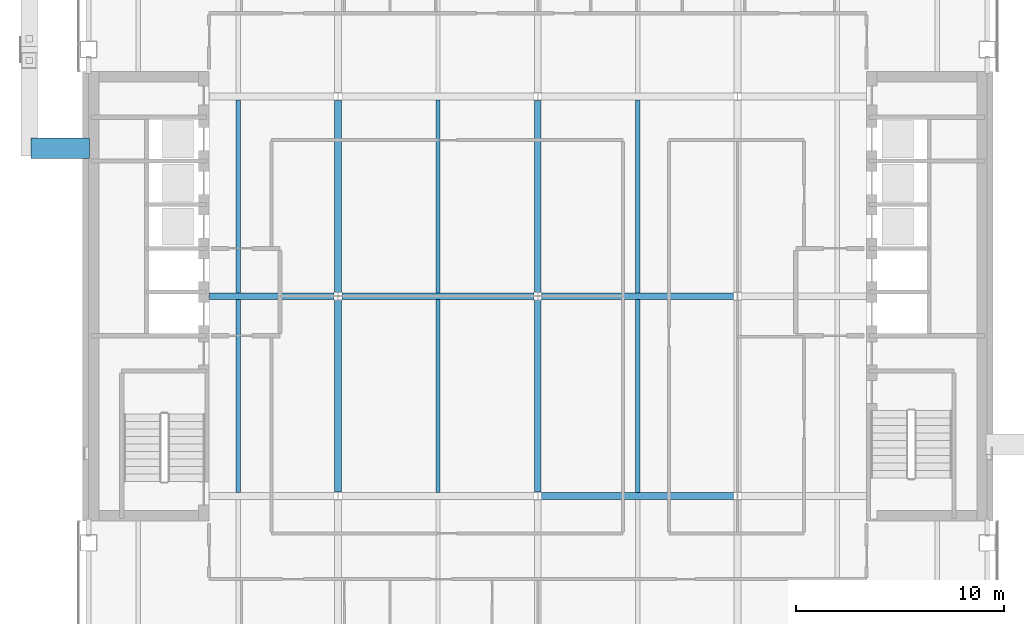
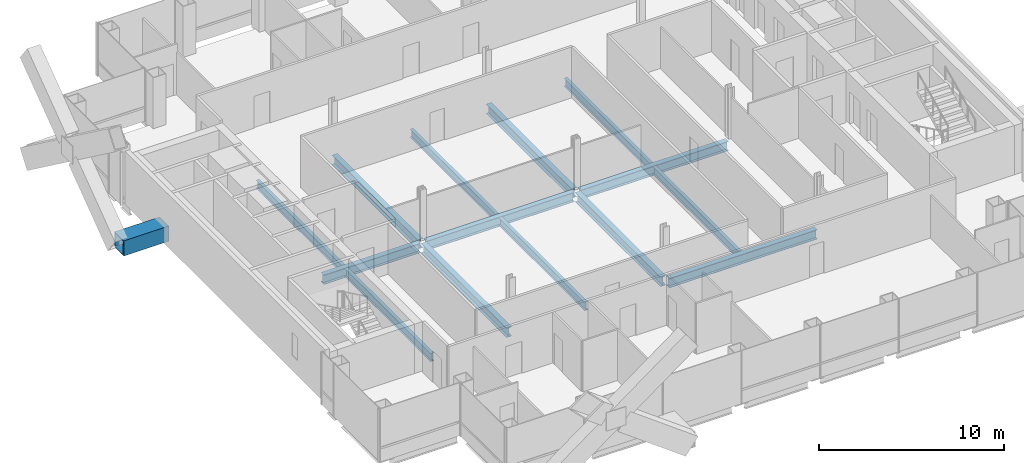
# One storey, part 4 of 14: 15 beams.
"""IFC4 building model written with IfcOpenShell, lengths in metres."""

import ifcopenshell
import ifcopenshell.guid

model = None  # the IFC model being written
_history = None  # IfcOwnerHistory: only IFC2X3 demands one
_inside = {}  # id of a spatial element -> (the spatial element, [elements in it])
_under = {}  # id of a project, library or spatial element -> (it, [spatial elements below it])
_declared = {}  # id of a project -> (the project, [libraries it declares])
_typed = {}  # id of a type object -> (the type object, [elements of that type])
_made_of = {}  # id of a material, layer set ... -> (it, [elements and type objects made of it])


def new_model(schema):
    """Start an empty IFC model of exactly this schema.

    Asked for "IFC4X3", IfcOpenShell would pick the latest addendum, in which some entities
    have other attributes; the version numbers below select the first issue.
    IFC2X3 requires an IfcOwnerHistory on every rooted entity: one is made here for all.
    """
    global model, _history
    if schema == "IFC4X3":
        model = ifcopenshell.file(schema_version=(4, 3, 0, 0))
    else:
        model = ifcopenshell.file(schema=schema)
    _inside.clear()
    _under.clear()
    _declared.clear()
    _typed.clear()
    _made_of.clear()
    _history = None
    if model.schema == "IFC2X3":
        org = make("IfcOrganization", Name="unknown")
        user = make(
            "IfcPersonAndOrganization",
            ThePerson=make("IfcPerson", FamilyName="unknown"),
            TheOrganization=org,
        )
        app = make(
            "IfcApplication",
            ApplicationDeveloper=org,
            Version="unknown",
            ApplicationFullName="unknown",
            ApplicationIdentifier="unknown",
        )
        _history = make(
            "IfcOwnerHistory",
            OwningUser=user,
            OwningApplication=app,
            ChangeAction="ADDED",
            CreationDate=0,
        )
    return model


def make(cls, **values):
    """One entity of the class cls with the attributes given. An attribute that is None is left unset."""
    return model.create_entity(
        cls, **{name: value for name, value in values.items() if value is not None}
    )


def rooted(cls, **values):
    """An entity with a GlobalId (a new one), such as an element, a storey or a relation."""
    return make(cls, GlobalId=ifcopenshell.guid.new(), OwnerHistory=_history, **values)


def si_unit(unit_type, name, prefix=None):
    """IfcSIUnit, for example si_unit("LENGTHUNIT", "METRE", prefix="MILLI")."""
    return make("IfcSIUnit", UnitType=unit_type, Prefix=prefix, Name=name)


def assignment(units):
    """IfcUnitAssignment: the units of a project."""
    return None if units is None else make("IfcUnitAssignment", Units=units)


def point(xyz):
    """IfcCartesianPoint."""
    return None if xyz is None else make("IfcCartesianPoint", Coordinates=xyz)


def direction(xyz):
    """IfcDirection."""
    return None if xyz is None else make("IfcDirection", DirectionRatios=xyz)


def frame(location, z_axis=None, x_axis=None):
    """IfcAxis2Placement3D, a coordinate frame: its origin and axes. An axis left out is left unset."""
    return make(
        "IfcAxis2Placement3D",
        Location=point(location),
        Axis=direction(z_axis),
        RefDirection=direction(x_axis),
    )


def frame_2d(location, x_axis=None):
    """IfcAxis2Placement2D, a coordinate frame in the plane: its origin and x axis."""
    return make(
        "IfcAxis2Placement2D", Location=point(location), RefDirection=direction(x_axis)
    )


def origin():
    """The frame at (0, 0, 0) with its axes left unset."""
    return frame((0.0, 0.0, 0.0))


def origin_2d():
    """The frame at (0, 0) in the plane with its x axis left unset."""
    return frame_2d((0.0, 0.0))


def place(relative_to, where):
    """IfcLocalPlacement: puts the frame where relative to a parent placement (None: the world)."""
    return make(
        "IfcLocalPlacement", PlacementRelTo=relative_to, RelativePlacement=where
    )


def context(
    kind, dimensions, precision=None, world=None, true_north=None, identifier=None
):
    """IfcGeometricRepresentationContext, for example the 3D "Model" context."""
    return make(
        "IfcGeometricRepresentationContext",
        ContextIdentifier=identifier,
        ContextType=kind,
        CoordinateSpaceDimension=dimensions,
        Precision=precision,
        WorldCoordinateSystem=world,
        TrueNorth=true_north,
    )


def subcontext(parent, identifier, kind, view, scale=None):
    """IfcGeometricRepresentationSubContext, for example "Body" below "Model"."""
    return make(
        "IfcGeometricRepresentationSubContext",
        ContextIdentifier=identifier,
        ContextType=kind,
        ParentContext=parent,
        TargetScale=scale,
        TargetView=view,
    )


def project(units=None, contexts=None):
    """IfcProject with its units and contexts."""
    return rooted(
        "IfcProject",
        Name="project",
        RepresentationContexts=contexts,
        UnitsInContext=assignment(units),
    )


def spatial(cls, under=None, at=None, **own):
    """A site, building, storey or space (cls), placed at a placement, below another one or the project."""
    s = rooted(cls, ObjectPlacement=at, **own)
    if under is not None:
        _under.setdefault(under.id(), (under, []))[1].append(s)
    return s


def profile(cls, at=None, kind="AREA", **sizes):
    """A parametric profile (cls). Its sizes go by their IFC names, for example OverallWidth=200.0."""
    return make(cls, ProfileType=kind, Position=at, **sizes)


def hollow_rectangle(**sizes):
    """IfcRectangleHollowProfileDef."""
    return profile("IfcRectangleHollowProfileDef", **sizes)


def i_section(**sizes):
    """IfcIShapeProfileDef."""
    return profile("IfcIShapeProfileDef", **sizes)


def extrude(swept, where, along, depth):
    """IfcExtrudedAreaSolid: the profile swept, set in the frame where, extruded along a direction by depth."""
    return make(
        "IfcExtrudedAreaSolid",
        SweptArea=swept,
        Position=where,
        ExtrudedDirection=direction(along),
        Depth=depth,
    )


def shape(context_of_items, identifier, shape_type, items):
    """IfcShapeRepresentation: the items that make up one representation, for example the "Body"."""
    return make(
        "IfcShapeRepresentation",
        ContextOfItems=context_of_items,
        RepresentationIdentifier=identifier,
        RepresentationType=shape_type,
        Items=items,
    )


def material(Name=None, Category=None):
    """IfcMaterial."""
    return make("IfcMaterial", Name=Name, Category=Category)


def material_profile(
    of_material, cross_section, Name=None, Category=None, Priority=None
):
    """IfcMaterialProfile: a cross section and its material."""
    return make(
        "IfcMaterialProfile",
        Name=Name,
        Material=of_material,
        Profile=cross_section,
        Priority=Priority,
        Category=Category,
    )


def profile_set(profiles, Name=None, composite=None):
    """IfcMaterialProfileSet."""
    return make(
        "IfcMaterialProfileSet",
        Name=Name,
        MaterialProfiles=profiles,
        CompositeProfile=composite,
    )


def made_of(thing, what):
    """Note that an element or type object is made of a material, layer set ...; save() writes the relation."""
    if what is not None:
        _made_of.setdefault(what.id(), (what, []))[1].append(thing)
    return thing


def type_object(cls, material=None, **own):
    """A type object (cls), such as IfcWallType, which elements share."""
    return made_of(rooted(cls, **own), material)


def element(
    cls,
    number,
    at=None,
    inside=None,
    cuts=None,
    type_object=None,
    material=None,
    context=None,
    identifier="Body",
    shape_type=None,
    held_by="IfcProductDefinitionShape",
    body=None,
    shapes=None,
    **own,
):
    """One element of the class cls, such as IfcWall. Its Tag is "e" and its number.

    at: its placement. inside: the storey or other place that contains it. cuts: it is an
    opening in that element (IfcRelVoidsElement). A single representation is given by context,
    identifier, shape_type and body (its items); several are given by shapes. held_by: the class
    of the entity that holds the representations. save() writes the other relations.
    """
    e = rooted(cls, Tag="e%d" % number, ObjectPlacement=at, **own)
    if body is not None:
        shapes = [shape(context, identifier, shape_type, body)]
    if shapes is not None:
        e.Representation = make(held_by, Representations=shapes)
    if inside is not None:
        _inside.setdefault(inside.id(), (inside, []))[1].append(e)
    if cuts is not None:
        rooted(
            "IfcRelVoidsElement", RelatingBuildingElement=cuts, RelatedOpeningElement=e
        )
    if type_object is not None:
        _typed.setdefault(type_object.id(), (type_object, []))[1].append(e)
    return made_of(e, material)


def aggregate(whole, parts):
    """IfcRelAggregates: a whole, such as a stair, and the parts it consists of."""
    return rooted("IfcRelAggregates", RelatingObject=whole, RelatedObjects=parts)


def save(model, path):
    """Write the relations noted so far, then the file.

    IfcRelAggregates (storeys below a building ...), IfcRelContainedInSpatialStructure (elements
    in a storey), IfcRelDefinesByType, IfcRelAssociatesMaterial and IfcRelDeclares: one each for
    every whole, place, type object, material and project.
    """
    for whole, parts in _under.values():
        aggregate(whole, parts)
    for where, things in _inside.values():
        rooted(
            "IfcRelContainedInSpatialStructure",
            RelatedElements=things,
            RelatingStructure=where,
        )
    for kind, things in _typed.values():
        rooted("IfcRelDefinesByType", RelatedObjects=things, RelatingType=kind)
    for what, things in _made_of.values():
        rooted("IfcRelAssociatesMaterial", RelatedObjects=things, RelatingMaterial=what)
    for by, libraries in _declared.values():
        rooted("IfcRelDeclares", RelatingContext=by, RelatedDefinitions=libraries)
    model.write(path)


model = new_model("IFC4")

# Units and contexts
model_context = context("Model", 3, precision=1e-05, world=origin(), true_north=direction((0.0, 1.0)))
body_context = subcontext(model_context, "Body", "Model", "MODEL_VIEW")
ifc_project = project(units=[si_unit("LENGTHUNIT", "METRE"), si_unit("AREAUNIT", "SQUARE_METRE"), si_unit("VOLUMEUNIT", "CUBIC_METRE"), si_unit("PLANEANGLEUNIT", "RADIAN"), si_unit("MASSUNIT", "GRAM", prefix="KILO")], contexts=[model_context])

# Site, building, storey
site_placement = place(None, origin())
site = spatial("IfcSite", under=ifc_project, at=site_placement, CompositionType="ELEMENT")
building_placement = place(site_placement, origin())
building = spatial("IfcBuilding", under=site, at=building_placement, Name="Cobrizo Arcos Hotel Tower", CompositionType="ELEMENT")
storey_placement = place(building_placement, frame((0.0, 0.0, 179.5)))
storey = spatial("IfcBuildingStorey", under=building, at=storey_placement, Name="L46", CompositionType="ELEMENT", Elevation=179.5)

# Beams
ifc_material_1 = material(Name="Steel ASTM A572 Grade 50", Category="steel")
ifc_material_profile_1 = material_profile(ifc_material_1, hollow_rectangle(XDim=1.0, YDim=1.0, WallThickness=0.06005859375, at=origin_2d()), Name="BOX 1000X1000X60")
ifc_profile_set_1 = profile_set([ifc_material_profile_1], Name="Steel ASTM A572 Grade 50")
beam_type_1 = type_object("IfcBeamType", Name="BOX 1000X1000X60 brace connector strut", PredefinedType="BEAM", material=ifc_profile_set_1)
beam_1_placement = place(storey_placement, frame((-21.550048828125, 7.1142578125, 0.5), z_axis=(-1.0, 0.0, 0.0), x_axis=(0.0, -1.0, 0.0)))
element("IfcBeam", 1, at=beam_1_placement, inside=storey, type_object=beam_type_1, Name="Perimeter brace stub BS1, zone Z3, west face, offset +7.11 m, L46", PredefinedType="BEAM", context=body_context, shape_type="SweptSolid", body=[
    extrude(hollow_rectangle(XDim=1.0, YDim=1.0, WallThickness=0.06005859375, at=origin_2d()), origin(), (0.0, 0.0, 1.0), 2.820068359375),
])
ifc_material_2 = material(Name="Steel ASTM A992 Grade 50", Category="steel")
ifc_material_profile_2 = material_profile(ifc_material_2, i_section(OverallWidth=0.209228515625, OverallDepth=0.533447265625, WebThickness=0.01025390625, FlangeThickness=0.015625, at=origin_2d()), Name="W21X62")
ifc_profile_set_2 = profile_set([ifc_material_profile_2], Name="Steel ASTM A992 Grade 50")
beam_type_2 = type_object("IfcBeamType", Name="W21X62 joist", PredefinedType="JOIST", material=ifc_profile_set_2)
for number, where, z_axis, x_axis, name in (
    (2, (-14.39990234375, -9.43603515625, -0.416748046875), (0.0, 1.0, 0.0), (-1.0, 0.0, 0.0), "Floor joist J1, L46, no. 004"),
    (3, (-14.39990234375, 0.163818359375, -0.416748046875), (0.0, 1.0, 0.0), (-1.0, 0.0, 0.0), "Floor joist J1, L46, no. 005"),
    (4, (-4.800048828125, -9.43603515625, -0.416748046875), (0.0, 1.0, 0.0), (-1.0, 0.0, 0.0), "Floor joist J1, L46, no. 008"),
    (5, (-4.800048828125, 0.163818359375, -0.416748046875), (0.0, 1.0, 0.0), (-1.0, 0.0, 0.0), "Floor joist J1, L46, no. 009"),
    (6, (4.800048828125, -9.43603515625, -0.416748046875), (0.0, 1.0, 0.0), (-1.0, 0.0, 0.0), "Floor joist J1, L46, no. 012"),
    (7, (4.800048828125, 0.163818359375, -0.416748046875), (0.0, 1.0, 0.0), (-1.0, 0.0, 0.0), "Floor joist J1, L46, no. 013"),
):
    element("IfcBeam", number, at=place(storey_placement, frame(where, z_axis=z_axis, x_axis=x_axis)), inside=storey, type_object=beam_type_2, Name=name, PredefinedType="JOIST", context=body_context, shape_type="SweptSolid", body=[
        extrude(i_section(OverallWidth=0.209228515625, OverallDepth=0.533447265625, WebThickness=0.01025390625, FlangeThickness=0.015625, at=origin_2d()), origin(), (0.0, 0.0, 1.0), 9.272216796875),
    ])
ifc_material_profile_3 = material_profile(ifc_material_2, i_section(OverallWidth=0.32763671875, OverallDepth=0.622314453125, WebThickness=0.015380859375, FlangeThickness=0.0244140625, at=origin_2d()), Name="W24X131")
ifc_profile_set_3 = profile_set([ifc_material_profile_3], Name="Steel ASTM A992 Grade 50")
beam_type_3 = type_object("IfcBeamType", Name="W24X131 girder", PredefinedType="BEAM", material=ifc_profile_set_3)
beam_2_placement = place(storey_placement, frame((0.186767578125, -9.60009765625, -0.461181640625), z_axis=(1.0, 0.0, 0.0), x_axis=(0.0, 1.0, 0.0)))
element("IfcBeam", 8, at=beam_2_placement, inside=storey, type_object=beam_type_3, Name="Floor girder G1, L46, no. 003", PredefinedType="BEAM", context=body_context, shape_type="SweptSolid", body=[
    extrude(i_section(OverallWidth=0.32763671875, OverallDepth=0.622314453125, WebThickness=0.015380859375, FlangeThickness=0.0244140625, at=origin_2d()), origin(), (0.0, 0.0, 1.0), 9.2265625),
])
beam_3_placement = place(storey_placement, frame((-15.7900390625, 0.0, -0.461181640625), z_axis=(1.0, 0.0, 0.0), x_axis=(0.0, 1.0, 0.0)))
element("IfcBeam", 9, at=beam_3_placement, inside=storey, type_object=beam_type_3, Name="Floor girder G1, L46, no. 005", PredefinedType="BEAM", context=body_context, shape_type="SweptSolid", body=[
    extrude(i_section(OverallWidth=0.32763671875, OverallDepth=0.622314453125, WebThickness=0.015380859375, FlangeThickness=0.0244140625, at=origin_2d()), origin(), (0.0, 0.0, 1.0), 6.00341796875),
])
for number, where, z_axis, x_axis, name in (
    (10, (-9.413330078125, 0.0, -0.461181640625), (1.0, 0.0, 0.0), (0.0, 1.0, 0.0), "Floor girder G1, L46, no. 006"),
    (11, (0.186767578125, 0.0, -0.461181640625), (1.0, 0.0, 0.0), (0.0, 1.0, 0.0), "Floor girder G1, L46, no. 007"),
    (12, (-9.60009765625, -9.413330078125, -0.461181640625), (0.0, 1.0, 0.0), (-1.0, 0.0, 0.0), "Floor girder G1, L46, no. 014"),
    (13, (-9.60009765625, 0.186767578125, -0.461181640625), (0.0, 1.0, 0.0), (-1.0, 0.0, 0.0), "Floor girder G1, L46, no. 015"),
    (14, (0.0, -9.413330078125, -0.461181640625), (0.0, 1.0, 0.0), (-1.0, 0.0, 0.0), "Floor girder G1, L46, no. 018"),
    (15, (0.0, 0.186767578125, -0.461181640625), (0.0, 1.0, 0.0), (-1.0, 0.0, 0.0), "Floor girder G1, L46, no. 019"),
):
    element("IfcBeam", number, at=place(storey_placement, frame(where, z_axis=z_axis, x_axis=x_axis)), inside=storey, type_object=beam_type_3, Name=name, PredefinedType="BEAM", context=body_context, shape_type="SweptSolid", body=[
        extrude(i_section(OverallWidth=0.32763671875, OverallDepth=0.622314453125, WebThickness=0.015380859375, FlangeThickness=0.0244140625, at=origin_2d()), origin(), (0.0, 0.0, 1.0), 9.2265625),
    ])

save(model, "model.ifc")
